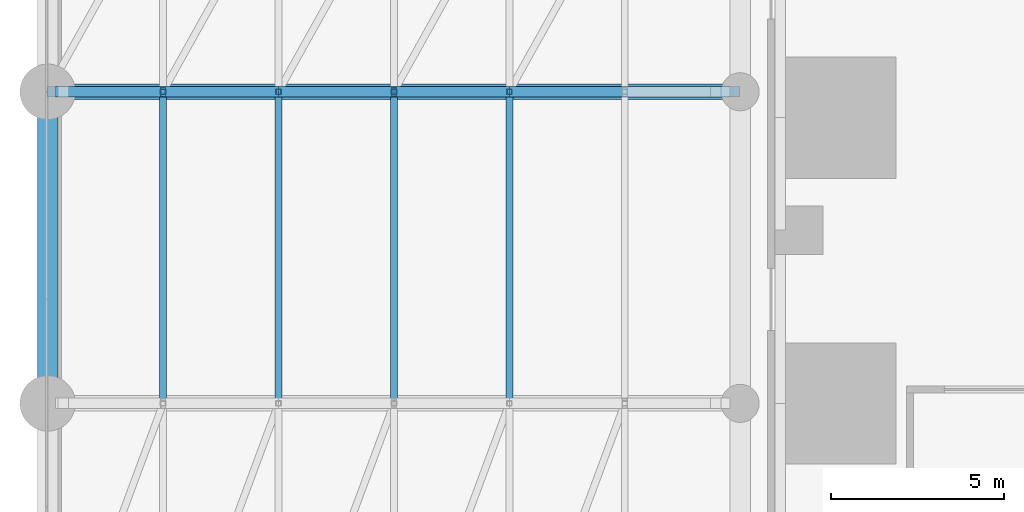
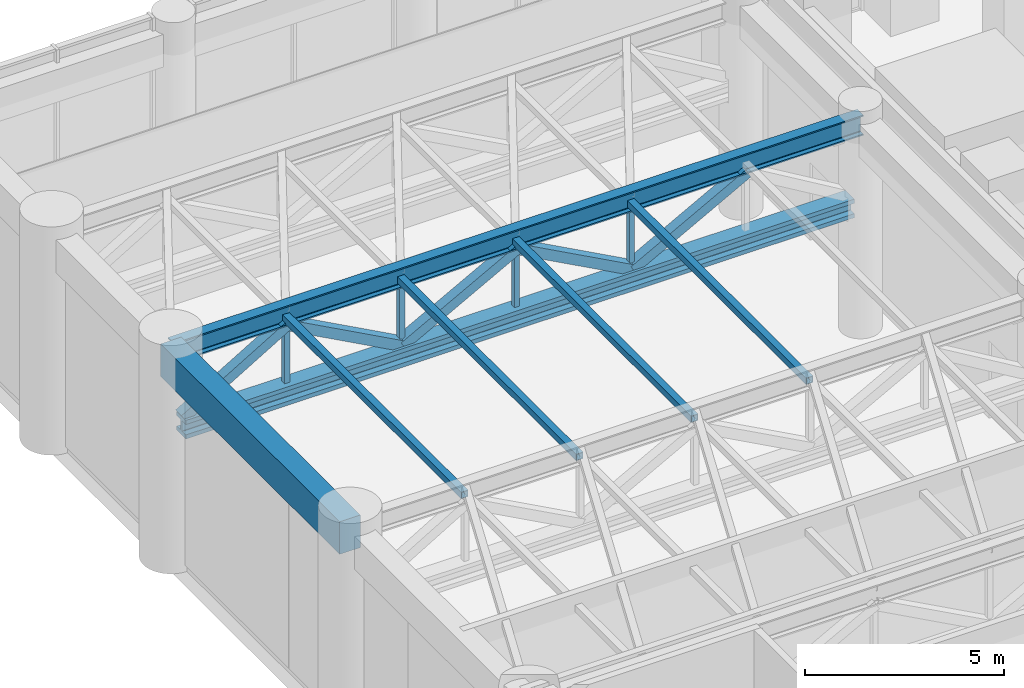
# One storey, part 6 of 30: 15 members, 1 beam.
"""IFC4 building model written with IfcOpenShell, lengths in metres."""

import ifcopenshell
import ifcopenshell.guid

model = None  # the IFC model being written
_history = None  # IfcOwnerHistory: only IFC2X3 demands one
_inside = {}  # id of a spatial element -> (the spatial element, [elements in it])
_under = {}  # id of a project, library or spatial element -> (it, [spatial elements below it])
_declared = {}  # id of a project -> (the project, [libraries it declares])
_typed = {}  # id of a type object -> (the type object, [elements of that type])
_made_of = {}  # id of a material, layer set ... -> (it, [elements and type objects made of it])


def new_model(schema):
    """Start an empty IFC model of exactly this schema.

    Asked for "IFC4X3", IfcOpenShell would pick the latest addendum, in which some entities
    have other attributes; the version numbers below select the first issue.
    IFC2X3 requires an IfcOwnerHistory on every rooted entity: one is made here for all.
    """
    global model, _history
    if schema == "IFC4X3":
        model = ifcopenshell.file(schema_version=(4, 3, 0, 0))
    else:
        model = ifcopenshell.file(schema=schema)
    _inside.clear()
    _under.clear()
    _declared.clear()
    _typed.clear()
    _made_of.clear()
    _history = None
    if model.schema == "IFC2X3":
        org = make("IfcOrganization", Name="unknown")
        user = make(
            "IfcPersonAndOrganization",
            ThePerson=make("IfcPerson", FamilyName="unknown"),
            TheOrganization=org,
        )
        app = make(
            "IfcApplication",
            ApplicationDeveloper=org,
            Version="unknown",
            ApplicationFullName="unknown",
            ApplicationIdentifier="unknown",
        )
        _history = make(
            "IfcOwnerHistory",
            OwningUser=user,
            OwningApplication=app,
            ChangeAction="ADDED",
            CreationDate=0,
        )
    return model


def make(cls, **values):
    """One entity of the class cls with the attributes given. An attribute that is None is left unset."""
    return model.create_entity(
        cls, **{name: value for name, value in values.items() if value is not None}
    )


def rooted(cls, **values):
    """An entity with a GlobalId (a new one), such as an element, a storey or a relation."""
    return make(cls, GlobalId=ifcopenshell.guid.new(), OwnerHistory=_history, **values)


def si_unit(unit_type, name, prefix=None):
    """IfcSIUnit, for example si_unit("LENGTHUNIT", "METRE", prefix="MILLI")."""
    return make("IfcSIUnit", UnitType=unit_type, Prefix=prefix, Name=name)


def assignment(units):
    """IfcUnitAssignment: the units of a project."""
    return None if units is None else make("IfcUnitAssignment", Units=units)


def point(xyz):
    """IfcCartesianPoint."""
    return None if xyz is None else make("IfcCartesianPoint", Coordinates=xyz)


def direction(xyz):
    """IfcDirection."""
    return None if xyz is None else make("IfcDirection", DirectionRatios=xyz)


def frame(location, z_axis=None, x_axis=None):
    """IfcAxis2Placement3D, a coordinate frame: its origin and axes. An axis left out is left unset."""
    return make(
        "IfcAxis2Placement3D",
        Location=point(location),
        Axis=direction(z_axis),
        RefDirection=direction(x_axis),
    )


def frame_2d(location, x_axis=None):
    """IfcAxis2Placement2D, a coordinate frame in the plane: its origin and x axis."""
    return make(
        "IfcAxis2Placement2D", Location=point(location), RefDirection=direction(x_axis)
    )


def origin():
    """The frame at (0, 0, 0) with its axes left unset."""
    return frame((0.0, 0.0, 0.0))


def origin_2d():
    """The frame at (0, 0) in the plane with its x axis left unset."""
    return frame_2d((0.0, 0.0))


def place(relative_to, where):
    """IfcLocalPlacement: puts the frame where relative to a parent placement (None: the world)."""
    return make(
        "IfcLocalPlacement", PlacementRelTo=relative_to, RelativePlacement=where
    )


def context(
    kind, dimensions, precision=None, world=None, true_north=None, identifier=None
):
    """IfcGeometricRepresentationContext, for example the 3D "Model" context."""
    return make(
        "IfcGeometricRepresentationContext",
        ContextIdentifier=identifier,
        ContextType=kind,
        CoordinateSpaceDimension=dimensions,
        Precision=precision,
        WorldCoordinateSystem=world,
        TrueNorth=true_north,
    )


def subcontext(parent, identifier, kind, view, scale=None):
    """IfcGeometricRepresentationSubContext, for example "Body" below "Model"."""
    return make(
        "IfcGeometricRepresentationSubContext",
        ContextIdentifier=identifier,
        ContextType=kind,
        ParentContext=parent,
        TargetScale=scale,
        TargetView=view,
    )


def project(units=None, contexts=None):
    """IfcProject with its units and contexts."""
    return rooted(
        "IfcProject",
        Name="project",
        RepresentationContexts=contexts,
        UnitsInContext=assignment(units),
    )


def spatial(cls, under=None, at=None, **own):
    """A site, building, storey or space (cls), placed at a placement, below another one or the project."""
    s = rooted(cls, ObjectPlacement=at, **own)
    if under is not None:
        _under.setdefault(under.id(), (under, []))[1].append(s)
    return s


def profile(cls, at=None, kind="AREA", **sizes):
    """A parametric profile (cls). Its sizes go by their IFC names, for example OverallWidth=200.0."""
    return make(cls, ProfileType=kind, Position=at, **sizes)


def rectangle(**sizes):
    """IfcRectangleProfileDef."""
    return profile("IfcRectangleProfileDef", **sizes)


def hollow_rectangle(**sizes):
    """IfcRectangleHollowProfileDef."""
    return profile("IfcRectangleHollowProfileDef", **sizes)


def i_section(**sizes):
    """IfcIShapeProfileDef."""
    return profile("IfcIShapeProfileDef", **sizes)


def extrude(swept, where, along, depth):
    """IfcExtrudedAreaSolid: the profile swept, set in the frame where, extruded along a direction by depth."""
    return make(
        "IfcExtrudedAreaSolid",
        SweptArea=swept,
        Position=where,
        ExtrudedDirection=direction(along),
        Depth=depth,
    )


def shape(context_of_items, identifier, shape_type, items):
    """IfcShapeRepresentation: the items that make up one representation, for example the "Body"."""
    return make(
        "IfcShapeRepresentation",
        ContextOfItems=context_of_items,
        RepresentationIdentifier=identifier,
        RepresentationType=shape_type,
        Items=items,
    )


def material(Name=None, Category=None):
    """IfcMaterial."""
    return make("IfcMaterial", Name=Name, Category=Category)


def material_profile(
    of_material, cross_section, Name=None, Category=None, Priority=None
):
    """IfcMaterialProfile: a cross section and its material."""
    return make(
        "IfcMaterialProfile",
        Name=Name,
        Material=of_material,
        Profile=cross_section,
        Priority=Priority,
        Category=Category,
    )


def profile_set(profiles, Name=None, composite=None):
    """IfcMaterialProfileSet."""
    return make(
        "IfcMaterialProfileSet",
        Name=Name,
        MaterialProfiles=profiles,
        CompositeProfile=composite,
    )


def made_of(thing, what):
    """Note that an element or type object is made of a material, layer set ...; save() writes the relation."""
    if what is not None:
        _made_of.setdefault(what.id(), (what, []))[1].append(thing)
    return thing


def type_object(cls, material=None, **own):
    """A type object (cls), such as IfcWallType, which elements share."""
    return made_of(rooted(cls, **own), material)


def element(
    cls,
    number,
    at=None,
    inside=None,
    cuts=None,
    type_object=None,
    material=None,
    context=None,
    identifier="Body",
    shape_type=None,
    held_by="IfcProductDefinitionShape",
    body=None,
    shapes=None,
    **own,
):
    """One element of the class cls, such as IfcWall. Its Tag is "e" and its number.

    at: its placement. inside: the storey or other place that contains it. cuts: it is an
    opening in that element (IfcRelVoidsElement). A single representation is given by context,
    identifier, shape_type and body (its items); several are given by shapes. held_by: the class
    of the entity that holds the representations. save() writes the other relations.
    """
    e = rooted(cls, Tag="e%d" % number, ObjectPlacement=at, **own)
    if body is not None:
        shapes = [shape(context, identifier, shape_type, body)]
    if shapes is not None:
        e.Representation = make(held_by, Representations=shapes)
    if inside is not None:
        _inside.setdefault(inside.id(), (inside, []))[1].append(e)
    if cuts is not None:
        rooted(
            "IfcRelVoidsElement", RelatingBuildingElement=cuts, RelatedOpeningElement=e
        )
    if type_object is not None:
        _typed.setdefault(type_object.id(), (type_object, []))[1].append(e)
    return made_of(e, material)


def aggregate(whole, parts):
    """IfcRelAggregates: a whole, such as a stair, and the parts it consists of."""
    return rooted("IfcRelAggregates", RelatingObject=whole, RelatedObjects=parts)


def save(model, path):
    """Write the relations noted so far, then the file.

    IfcRelAggregates (storeys below a building ...), IfcRelContainedInSpatialStructure (elements
    in a storey), IfcRelDefinesByType, IfcRelAssociatesMaterial and IfcRelDeclares: one each for
    every whole, place, type object, material and project.
    """
    for whole, parts in _under.values():
        aggregate(whole, parts)
    for where, things in _inside.values():
        rooted(
            "IfcRelContainedInSpatialStructure",
            RelatedElements=things,
            RelatingStructure=where,
        )
    for kind, things in _typed.values():
        rooted("IfcRelDefinesByType", RelatedObjects=things, RelatingType=kind)
    for what, things in _made_of.values():
        rooted("IfcRelAssociatesMaterial", RelatedObjects=things, RelatingMaterial=what)
    for by, libraries in _declared.values():
        rooted("IfcRelDeclares", RelatingContext=by, RelatedDefinitions=libraries)
    model.write(path)


model = new_model("IFC4")

# Units and contexts
model_context = context("Model", 3, precision=1e-05, world=origin(), true_north=direction((0.0, 1.0)))
body_context = subcontext(model_context, "Body", "Model", "MODEL_VIEW")
ifc_project = project(units=[si_unit("LENGTHUNIT", "METRE"), si_unit("AREAUNIT", "SQUARE_METRE"), si_unit("VOLUMEUNIT", "CUBIC_METRE"), si_unit("PLANEANGLEUNIT", "RADIAN"), si_unit("MASSUNIT", "GRAM", prefix="KILO")], contexts=[model_context])

# Site, building, storey
site_placement = place(None, origin())
site = spatial("IfcSite", under=ifc_project, at=site_placement, CompositionType="ELEMENT")
building_placement = place(site_placement, origin())
building = spatial("IfcBuilding", under=site, at=building_placement, Name="Svetlomir Tower", CompositionType="ELEMENT")
storey_placement = place(building_placement, frame((0.0, 0.0, 11.0)))
storey = spatial("IfcBuildingStorey", under=building, at=storey_placement, Name="L02", CompositionType="ELEMENT", Elevation=11.0)

# Members
ifc_material_1 = material(Name="Steel S355", Category="steel")
ifc_material_profile_1 = material_profile(ifc_material_1, i_section(OverallWidth=0.4541015625, OverallDepth=0.569091796875, WebThickness=0.077880859375, FlangeThickness=0.125, FilletRadius=0.014892578125, at=origin_2d()), Name="HD 400x1086")
ifc_profile_set_1 = profile_set([ifc_material_profile_1], Name="Steel S355")
member_type_1 = type_object("IfcMemberType", Name="AUDITORIUM TRUSS BOTTOM CHORD HD 400x1086", PredefinedType="CHORD", material=ifc_profile_set_1)
member_1_placement = place(storey_placement, frame((-20.699951171875, 30.0, 3.889892578125), z_axis=(1.0, 0.0, 0.0), x_axis=(0.0, 1.0, 0.0)))
element("IfcMember", 1, at=member_1_placement, inside=storey, type_object=member_type_1, Name="Auditorium truss 30 bottom chord", PredefinedType="CHORD", context=body_context, shape_type="SweptSolid", body=[
    extrude(i_section(OverallWidth=0.4541015625, OverallDepth=0.569091796875, WebThickness=0.077880859375, FlangeThickness=0.125, FilletRadius=0.014892578125, at=origin_2d()), origin(), (0.0, 0.0, 1.0), 19.39990234375),
])
ifc_material_2 = material(Name="Steel S355", Category="steel")
ifc_material_profile_2 = material_profile(ifc_material_2, i_section(OverallWidth=0.304931640625, OverallDepth=0.6201171875, WebThickness=0.02099609375, FlangeThickness=0.0400390625, FilletRadius=0.027099609375, at=origin_2d()), Name="HEM 600")
ifc_profile_set_2 = profile_set([ifc_material_profile_2], Name="Steel S355")
member_type_2 = type_object("IfcMemberType", Name="AUDITORIUM TRUSS CHORD HEM 600", PredefinedType="CHORD", material=ifc_profile_set_2)
member_2_placement = place(storey_placement, frame((-21.0, 30.0, 6.2900390625), z_axis=(1.0, 0.0, 0.0), x_axis=(0.0, 1.0, 0.0)))
element("IfcMember", 2, at=member_2_placement, inside=storey, type_object=member_type_2, Name="Auditorium truss 30 top chord", PredefinedType="CHORD", context=body_context, shape_type="SweptSolid", body=[
    extrude(i_section(OverallWidth=0.304931640625, OverallDepth=0.6201171875, WebThickness=0.02099609375, FlangeThickness=0.0400390625, FilletRadius=0.027099609375, at=origin_2d()), origin(), (0.0, 0.0, 1.0), 20.0),
])
ifc_material_3 = material(Name="Steel S355", Category="steel")
ifc_material_profile_3 = material_profile(ifc_material_3, hollow_rectangle(XDim=0.300048828125, YDim=0.300048828125, WallThickness=0.02001953125, at=origin_2d()), Name="SHS 300x300x20")
ifc_profile_set_3 = profile_set([ifc_material_profile_3], Name="Steel S355")
member_type_3 = type_object("IfcMemberType", Name="AUDITORIUM TRUSS DIAGONAL SHS 300x300x20", PredefinedType="BRACE", material=ifc_profile_set_3)
member_3_placement = place(storey_placement, frame((-20.699951171875, 30.0, 4.174560546875), z_axis=(0.859300122136, 0.0, 0.511471700193), x_axis=(0.0, 1.0, 0.0)))
element("IfcMember", 3, at=member_3_placement, inside=storey, type_object=member_type_3, Name="Auditorium truss 30 diagonal 1", PredefinedType="BRACE", context=body_context, shape_type="SweptSolid", body=[
    extrude(hollow_rectangle(XDim=0.300048828125, YDim=0.300048828125, WallThickness=0.02001953125, at=origin_2d()), origin(), (0.0, 0.0, 1.0), 3.52978515625),
])
member_4_placement = place(storey_placement, frame((-17.666748046875, 30.0, 5.97998046875), z_axis=(0.879316688011, 0.0, -0.476237506067), x_axis=(0.0, 1.0, 0.0)))
element("IfcMember", 4, at=member_4_placement, inside=storey, type_object=member_type_3, Name="Auditorium truss 30 diagonal 2", PredefinedType="BRACE", context=body_context, shape_type="SweptSolid", body=[
    extrude(hollow_rectangle(XDim=0.300048828125, YDim=0.300048828125, WallThickness=0.02001953125, at=origin_2d()), origin(), (0.0, 0.0, 1.0), 3.791015625),
])
for number, where, z_axis, x_axis, name in (
    (5, (-14.333251953125, 30.0, 4.174560546875), (0.879302080726, 0.0, 0.476264475717), (0.0, 1.0, 0.0), "Auditorium truss 30 diagonal 3"),
    (6, (-11.0, 30.0, 5.97998046875), (0.879302080726, 0.0, -0.476264475717), (0.0, 1.0, 0.0), "Auditorium truss 30 diagonal 4"),
):
    element("IfcMember", number, at=place(storey_placement, frame(where, z_axis=z_axis, x_axis=x_axis)), inside=storey, type_object=member_type_3, Name=name, PredefinedType="BRACE", context=body_context, shape_type="SweptSolid", body=[
        extrude(hollow_rectangle(XDim=0.300048828125, YDim=0.300048828125, WallThickness=0.02001953125, at=origin_2d()), origin(), (0.0, 0.0, 1.0), 3.790771484375),
    ])
member_5_placement = place(storey_placement, frame((-7.666748046875, 30.0, 4.174560546875), z_axis=(0.879316688011, 0.0, 0.476237506067), x_axis=(0.0, 1.0, 0.0)))
element("IfcMember", 7, at=member_5_placement, inside=storey, type_object=member_type_3, Name="Auditorium truss 30 diagonal 5", PredefinedType="BRACE", context=body_context, shape_type="SweptSolid", body=[
    extrude(hollow_rectangle(XDim=0.300048828125, YDim=0.300048828125, WallThickness=0.02001953125, at=origin_2d()), origin(), (0.0, 0.0, 1.0), 3.791015625),
])
ifc_material_4 = material(Name="Steel S355", Category="steel")
ifc_material_profile_4 = material_profile(ifc_material_4, hollow_rectangle(XDim=0.199951171875, YDim=0.199951171875, WallThickness=0.010009765625, at=origin_2d()), Name="SHS 200x200x10")
ifc_profile_set_4 = profile_set([ifc_material_profile_4], Name="Steel S355")
member_type_4 = type_object("IfcMemberType", Name="AUDITORIUM TRUSS PLAN TIE SHS 200x200x10", PredefinedType="BRACE", material=ifc_profile_set_4)
for number, where, z_axis, x_axis, name in (
    (8, (-17.666748046875, 21.010498046875, 6.159912109375), (0.0, 1.0, 0.0), (-1.0, 0.0, 0.0), "Auditorium truss plan tie 1 grid 21 to 30"),
    (9, (-14.333251953125, 21.010498046875, 6.159912109375), (0.0, 1.0, 0.0), (-1.0, 0.0, 0.0), "Auditorium truss plan tie 2 grid 21 to 30"),
    (10, (-11.0, 21.010498046875, 6.159912109375), (0.0, 1.0, 0.0), (-1.0, 0.0, 0.0), "Auditorium truss plan tie 3 grid 21 to 30"),
    (11, (-7.666748046875, 21.010498046875, 6.159912109375), (0.0, 1.0, 0.0), (-1.0, 0.0, 0.0), "Auditorium truss plan tie 4 grid 21 to 30"),
):
    element("IfcMember", number, at=place(storey_placement, frame(where, z_axis=z_axis, x_axis=x_axis)), inside=storey, type_object=member_type_4, Name=name, PredefinedType="BRACE", context=body_context, shape_type="SweptSolid", body=[
        extrude(hollow_rectangle(XDim=0.199951171875, YDim=0.199951171875, WallThickness=0.010009765625, at=origin_2d()), origin(), (0.0, 0.0, 1.0), 8.97900390625),
    ])
ifc_material_5 = material(Name="Steel S355", Category="steel")
ifc_material_profile_5 = material_profile(ifc_material_5, hollow_rectangle(XDim=0.14990234375, YDim=0.14990234375, WallThickness=0.008056640625, at=origin_2d()), Name="SHS 150x150x8")
ifc_profile_set_5 = profile_set([ifc_material_profile_5], Name="Steel S355")
member_type_5 = type_object("IfcMemberType", Name="AUDITORIUM TRUSS POST SHS 150x150x8", PredefinedType="POST", material=ifc_profile_set_5)
for number, where, z_axis, x_axis, name in (
    (12, (-17.666748046875, 30.0, 4.174560546875), (0.0, 0.0, 1.0), (1.0, 0.0, 0.0), "Auditorium truss 30 post 1"),
    (13, (-14.333251953125, 30.0, 4.174560546875), (0.0, 0.0, 1.0), (1.0, 0.0, 0.0), "Auditorium truss 30 post 2"),
    (14, (-11.0, 30.0, 4.174560546875), (0.0, 0.0, 1.0), (1.0, 0.0, 0.0), "Auditorium truss 30 post 3"),
    (15, (-7.666748046875, 30.0, 4.174560546875), (0.0, 0.0, 1.0), (1.0, 0.0, 0.0), "Auditorium truss 30 post 4"),
):
    element("IfcMember", number, at=place(storey_placement, frame(where, z_axis=z_axis, x_axis=x_axis)), inside=storey, type_object=member_type_5, Name=name, PredefinedType="POST", context=body_context, shape_type="SweptSolid", body=[
        extrude(hollow_rectangle(XDim=0.14990234375, YDim=0.14990234375, WallThickness=0.008056640625, at=origin_2d()), origin(), (0.0, 0.0, 1.0), 1.805419921875),
    ])

# Beam
ifc_material_6 = material(Name="Concrete C60/75", Category="concrete")
ifc_material_profile_6 = material_profile(ifc_material_6, rectangle(XDim=0.60009765625, YDim=1.0, at=origin_2d()), Name="RC 600x1000")
ifc_profile_set_6 = profile_set([ifc_material_profile_6], Name="Concrete C60/75")
beam_type = type_object("IfcBeamType", Name="PODIUM BEAM RC 600x1000", PredefinedType="BEAM", material=ifc_profile_set_6)
beam_placement = place(storey_placement, frame((-21.0, 21.0, 6.10009765625), z_axis=(0.0, 1.0, 0.0), x_axis=(-1.0, 0.0, 0.0)))
element("IfcBeam", 16, at=beam_placement, inside=storey, type_object=beam_type, Name="Podium beam -21/21 to -21/30 under L03", PredefinedType="BEAM", context=body_context, shape_type="SweptSolid", body=[
    extrude(rectangle(XDim=0.60009765625, YDim=1.0, at=origin_2d()), origin(), (0.0, 0.0, 1.0), 9.0),
])

save(model, "model.ifc")
